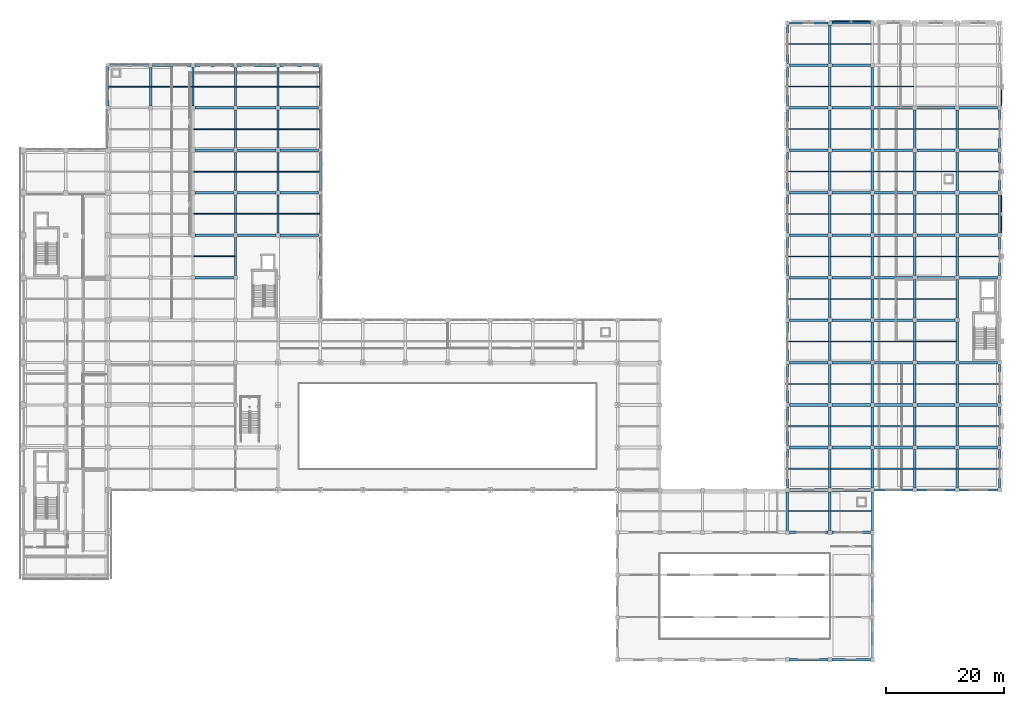
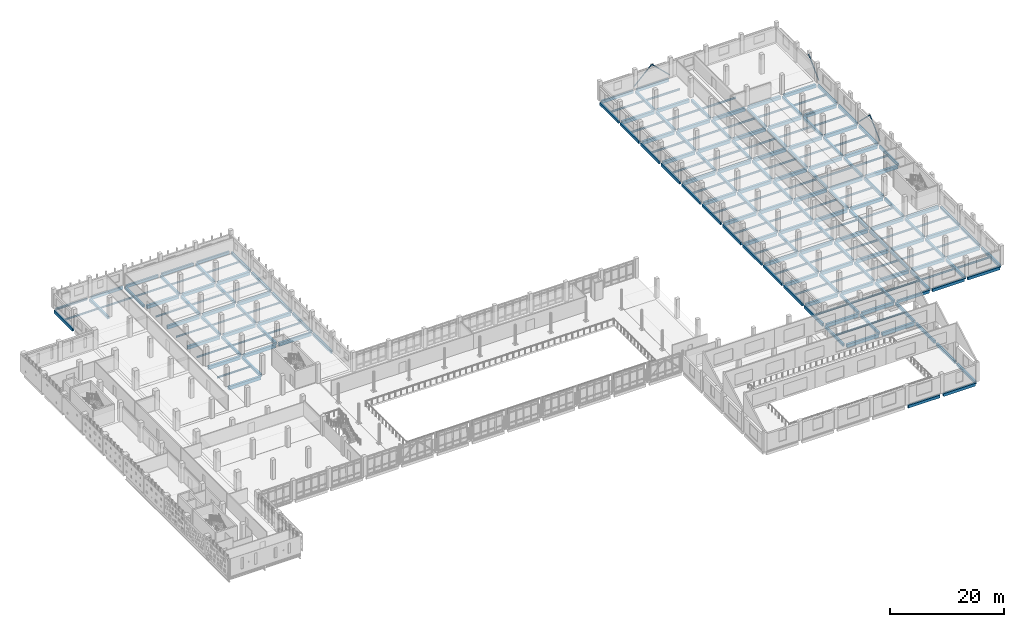
# One storey, part 25 of 62: 220 beams, 5 members.
"""IFC4 building model written with IfcOpenShell, lengths in metres."""

from ifc_helpers import new_model, si_unit, direction, frame, origin, origin_2d, place, context, subcontext, project, spatial, rectangle, hollow_circle, i_section, extrude, material, material_profile, profile_set, type_object, element, save


model = new_model("IFC4")

# Units and contexts
model_context = context("Model", 3, precision=1e-05, world=origin(), true_north=direction((0.0, 1.0)))
body_context = subcontext(model_context, "Body", "Model", "MODEL_VIEW")
ifc_project = project(units=[si_unit("LENGTHUNIT", "METRE"), si_unit("AREAUNIT", "SQUARE_METRE"), si_unit("VOLUMEUNIT", "CUBIC_METRE"), si_unit("PLANEANGLEUNIT", "RADIAN"), si_unit("MASSUNIT", "GRAM", prefix="KILO")], contexts=[model_context])

# Site, building, storey
site_placement = place(None, origin())
site = spatial("IfcSite", under=ifc_project, at=site_placement, CompositionType="ELEMENT")
building_placement = place(site_placement, origin())
building = spatial("IfcBuilding", under=site, at=building_placement, Name="Valkovuoma Quantum and Materials Research Institute", CompositionType="ELEMENT")
storey_placement = place(building_placement, frame((0.0, 0.0, 8.9599609375)))
storey = spatial("IfcBuildingStorey", under=building, at=storey_placement, Name="L02", CompositionType="ELEMENT", Elevation=8.9599609375)

# Beams
ifc_material_1 = material(Name="Steel S355J2", Category="steel")
ifc_material_profile_1 = material_profile(ifc_material_1, i_section(OverallWidth=0.300048828125, OverallDepth=0.389892578125, WebThickness=0.010986328125, FlangeThickness=0.01904296875, FilletRadius=0.027099609375, at=origin_2d()), Name="Steel S355J2")
ifc_profile_set_1 = profile_set([ifc_material_profile_1], Name="Steel S355J2")
beam_type_1 = type_object("IfcBeamType", Name="Beam-B-HEA400", PredefinedType="SPANDREL", material=ifc_profile_set_1)
beam_placement = place(storey_placement, frame((14.75, 108.0, -0.544921875), z_axis=(1.0, 0.0, 0.0), x_axis=(0.0, 1.0, 0.0)))
element("IfcBeam", 1, at=beam_placement, inside=storey, type_object=beam_type_1, Name="L02 beam X-1138", PredefinedType="SPANDREL", context=body_context, shape_type="SweptSolid", body=[
    extrude(i_section(OverallWidth=0.300048828125, OverallDepth=0.389892578125, WebThickness=0.010986328125, FlangeThickness=0.01904296875, FilletRadius=0.027099609375, at=origin_2d()), origin(), (0.0, 0.0, 1.0), 6.5),
])
ifc_material_2 = material(Name="Steel S355J2", Category="steel")
ifc_material_profile_2 = material_profile(ifc_material_2, i_section(OverallWidth=0.169921875, OverallDepth=0.360107421875, WebThickness=0.008056640625, FlangeThickness=0.0126953125, FilletRadius=0.01806640625, at=origin_2d()), Name="Steel S355J2")
ifc_profile_set_2 = profile_set([ifc_material_profile_2], Name="Steel S355J2")
beam_type_2 = type_object("IfcBeamType", Name="Beam-B-JST360", PredefinedType="JOIST", material=ifc_profile_set_2)
for number, where, z_axis, x_axis, name in (
    (2, (28.919921875, 75.60009765625, -0.530029296875), (1.0, 0.0, 0.0), (0.0, 1.0, 0.0), "L02 floor joist 1371"),
    (3, (28.919921875, 82.800048828125, -0.530029296875), (1.0, 0.0, 0.0), (0.0, 1.0, 0.0), "L02 floor joist 1379"),
    (4, (36.1201171875, 82.800048828125, -0.530029296875), (1.0, 0.0, 0.0), (0.0, 1.0, 0.0), "L02 floor joist 1380"),
    (5, (43.320068359375, 82.800048828125, -0.530029296875), (1.0, 0.0, 0.0), (0.0, 1.0, 0.0), "L02 floor joist 1381"),
    (6, (28.919921875, 90.0, -0.530029296875), (1.0, 0.0, 0.0), (0.0, 1.0, 0.0), "L02 floor joist 1391"),
    (7, (36.1201171875, 90.0, -0.530029296875), (1.0, 0.0, 0.0), (0.0, 1.0, 0.0), "L02 floor joist 1392"),
    (8, (43.320068359375, 90.0, -0.530029296875), (1.0, 0.0, 0.0), (0.0, 1.0, 0.0), "L02 floor joist 1393"),
    (9, (28.919921875, 97.199951171875, -0.530029296875), (1.0, 0.0, 0.0), (0.0, 1.0, 0.0), "L02 floor joist 1401"),
    (10, (36.1201171875, 97.199951171875, -0.530029296875), (1.0, 0.0, 0.0), (0.0, 1.0, 0.0), "L02 floor joist 1402"),
    (11, (43.320068359375, 97.199951171875, -0.530029296875), (1.0, 0.0, 0.0), (0.0, 1.0, 0.0), "L02 floor joist 1403"),
    (12, (14.52001953125, 104.39990234375, -0.530029296875), (1.0, 0.0, 0.0), (0.0, 1.0, 0.0), "L02 floor joist 1409"),
    (13, (21.719970703125, 104.39990234375, -0.530029296875), (1.0, 0.0, 0.0), (0.0, 1.0, 0.0), "L02 floor joist 1410"),
    (14, (28.919921875, 104.39990234375, -0.530029296875), (1.0, 0.0, 0.0), (0.0, 1.0, 0.0), "L02 floor joist 1411"),
    (15, (36.1201171875, 104.39990234375, -0.530029296875), (1.0, 0.0, 0.0), (0.0, 1.0, 0.0), "L02 floor joist 1412"),
    (16, (43.320068359375, 104.39990234375, -0.530029296875), (1.0, 0.0, 0.0), (0.0, 1.0, 0.0), "L02 floor joist 1413"),
):
    element("IfcBeam", number, at=place(storey_placement, frame(where, z_axis=z_axis, x_axis=x_axis)), inside=storey, type_object=beam_type_2, Name=name, PredefinedType="JOIST", context=body_context, shape_type="SweptSolid", body=[
        extrude(i_section(OverallWidth=0.169921875, OverallDepth=0.360107421875, WebThickness=0.008056640625, FlangeThickness=0.0126953125, FilletRadius=0.01806640625, at=origin_2d()), origin(), (0.0, 0.0, 1.0), 6.9599609375),
    ])
ifc_material_3 = material(Name="Steel S355J2", Category="steel")
ifc_material_profile_3 = material_profile(ifc_material_3, i_section(OverallWidth=0.179931640625, OverallDepth=0.39990234375, WebThickness=0.008544921875, FlangeThickness=0.013427734375, FilletRadius=0.02099609375, at=origin_2d()), Name="Steel S355J2")
ifc_profile_set_3 = profile_set([ifc_material_profile_3], Name="Steel S355J2")
beam_type_3 = type_object("IfcBeamType", Name="Beam-B-JST400", PredefinedType="JOIST", material=ifc_profile_set_3)
for number, where, z_axis, x_axis, name in (
    (17, (129.719970703125, 32.39990234375, -0.550048828125), (1.0, 0.0, 0.0), (0.0, 1.0, 0.0), "L02 floor joist 1306"),
    (18, (136.919921875, 32.39990234375, -0.550048828125), (1.0, 0.0, 0.0), (0.0, 1.0, 0.0), "L02 floor joist 1307"),
    (19, (129.719970703125, 39.60009765625, -0.550048828125), (1.0, 0.0, 0.0), (0.0, 1.0, 0.0), "L02 floor joist 1314"),
    (20, (136.919921875, 39.60009765625, -0.550048828125), (1.0, 0.0, 0.0), (0.0, 1.0, 0.0), "L02 floor joist 1315"),
    (21, (144.1201171875, 39.60009765625, -0.550048828125), (1.0, 0.0, 0.0), (0.0, 1.0, 0.0), "L02 floor joist 1316"),
    (22, (151.320068359375, 39.60009765625, -0.550048828125), (1.0, 0.0, 0.0), (0.0, 1.0, 0.0), "L02 floor joist 1317"),
    (23, (158.52001953125, 39.60009765625, -0.550048828125), (1.0, 0.0, 0.0), (0.0, 1.0, 0.0), "L02 floor joist 1318"),
    (24, (129.719970703125, 46.800048828125, -0.550048828125), (1.0, 0.0, 0.0), (0.0, 1.0, 0.0), "L02 floor joist 1325"),
    (25, (136.919921875, 46.800048828125, -0.550048828125), (1.0, 0.0, 0.0), (0.0, 1.0, 0.0), "L02 floor joist 1326"),
    (26, (144.1201171875, 46.800048828125, -0.550048828125), (1.0, 0.0, 0.0), (0.0, 1.0, 0.0), "L02 floor joist 1327"),
    (27, (151.320068359375, 46.800048828125, -0.550048828125), (1.0, 0.0, 0.0), (0.0, 1.0, 0.0), "L02 floor joist 1328"),
    (28, (158.52001953125, 46.800048828125, -0.550048828125), (1.0, 0.0, 0.0), (0.0, 1.0, 0.0), "L02 floor joist 1329"),
    (29, (129.719970703125, 54.0, -0.550048828125), (1.0, 0.0, 0.0), (0.0, 1.0, 0.0), "L02 floor joist 1336"),
    (30, (136.919921875, 54.0, -0.550048828125), (1.0, 0.0, 0.0), (0.0, 1.0, 0.0), "L02 floor joist 1337"),
    (31, (144.1201171875, 54.0, -0.550048828125), (1.0, 0.0, 0.0), (0.0, 1.0, 0.0), "L02 floor joist 1338"),
    (32, (151.320068359375, 54.0, -0.550048828125), (1.0, 0.0, 0.0), (0.0, 1.0, 0.0), "L02 floor joist 1339"),
    (33, (158.52001953125, 54.0, -0.550048828125), (1.0, 0.0, 0.0), (0.0, 1.0, 0.0), "L02 floor joist 1340"),
    (34, (129.719970703125, 61.199951171875, -0.550048828125), (1.0, 0.0, 0.0), (0.0, 1.0, 0.0), "L02 floor joist 1356"),
    (35, (136.919921875, 61.199951171875, -0.550048828125), (1.0, 0.0, 0.0), (0.0, 1.0, 0.0), "L02 floor joist 1357"),
    (36, (144.1201171875, 61.199951171875, -0.550048828125), (1.0, 0.0, 0.0), (0.0, 1.0, 0.0), "L02 floor joist 1358"),
    (37, (151.320068359375, 61.199951171875, -0.550048828125), (1.0, 0.0, 0.0), (0.0, 1.0, 0.0), "L02 floor joist 1359"),
    (38, (129.719970703125, 68.39990234375, -0.550048828125), (1.0, 0.0, 0.0), (0.0, 1.0, 0.0), "L02 floor joist 1365"),
    (39, (136.919921875, 68.39990234375, -0.550048828125), (1.0, 0.0, 0.0), (0.0, 1.0, 0.0), "L02 floor joist 1366"),
    (40, (144.1201171875, 68.39990234375, -0.550048828125), (1.0, 0.0, 0.0), (0.0, 1.0, 0.0), "L02 floor joist 1367"),
    (41, (151.320068359375, 68.39990234375, -0.550048828125), (1.0, 0.0, 0.0), (0.0, 1.0, 0.0), "L02 floor joist 1368"),
    (42, (129.719970703125, 75.60009765625, -0.550048828125), (1.0, 0.0, 0.0), (0.0, 1.0, 0.0), "L02 floor joist 1372"),
    (43, (136.919921875, 75.60009765625, -0.550048828125), (1.0, 0.0, 0.0), (0.0, 1.0, 0.0), "L02 floor joist 1373"),
    (44, (144.1201171875, 75.60009765625, -0.550048828125), (1.0, 0.0, 0.0), (0.0, 1.0, 0.0), "L02 floor joist 1374"),
    (45, (151.320068359375, 75.60009765625, -0.550048828125), (1.0, 0.0, 0.0), (0.0, 1.0, 0.0), "L02 floor joist 1375"),
    (46, (158.52001953125, 75.60009765625, -0.550048828125), (1.0, 0.0, 0.0), (0.0, 1.0, 0.0), "L02 floor joist 1376"),
    (47, (129.719970703125, 82.800048828125, -0.550048828125), (1.0, 0.0, 0.0), (0.0, 1.0, 0.0), "L02 floor joist 1382"),
    (48, (136.919921875, 82.800048828125, -0.550048828125), (1.0, 0.0, 0.0), (0.0, 1.0, 0.0), "L02 floor joist 1383"),
    (49, (144.1201171875, 82.800048828125, -0.550048828125), (1.0, 0.0, 0.0), (0.0, 1.0, 0.0), "L02 floor joist 1384"),
    (50, (151.320068359375, 82.800048828125, -0.550048828125), (1.0, 0.0, 0.0), (0.0, 1.0, 0.0), "L02 floor joist 1385"),
    (51, (158.52001953125, 82.800048828125, -0.550048828125), (1.0, 0.0, 0.0), (0.0, 1.0, 0.0), "L02 floor joist 1386"),
    (52, (129.719970703125, 90.0, -0.550048828125), (1.0, 0.0, 0.0), (0.0, 1.0, 0.0), "L02 floor joist 1394"),
    (53, (136.919921875, 90.0, -0.550048828125), (1.0, 0.0, 0.0), (0.0, 1.0, 0.0), "L02 floor joist 1395"),
    (54, (144.1201171875, 90.0, -0.550048828125), (1.0, 0.0, 0.0), (0.0, 1.0, 0.0), "L02 floor joist 1396"),
    (55, (151.320068359375, 90.0, -0.550048828125), (1.0, 0.0, 0.0), (0.0, 1.0, 0.0), "L02 floor joist 1397"),
    (56, (158.52001953125, 90.0, -0.550048828125), (1.0, 0.0, 0.0), (0.0, 1.0, 0.0), "L02 floor joist 1398"),
    (57, (129.719970703125, 97.199951171875, -0.550048828125), (1.0, 0.0, 0.0), (0.0, 1.0, 0.0), "L02 floor joist 1404"),
    (58, (136.919921875, 97.199951171875, -0.550048828125), (1.0, 0.0, 0.0), (0.0, 1.0, 0.0), "L02 floor joist 1405"),
    (59, (144.1201171875, 97.199951171875, -0.550048828125), (1.0, 0.0, 0.0), (0.0, 1.0, 0.0), "L02 floor joist 1406"),
    (60, (151.320068359375, 97.199951171875, -0.550048828125), (1.0, 0.0, 0.0), (0.0, 1.0, 0.0), "L02 floor joist 1407"),
    (61, (158.52001953125, 97.199951171875, -0.550048828125), (1.0, 0.0, 0.0), (0.0, 1.0, 0.0), "L02 floor joist 1408"),
    (62, (129.719970703125, 104.39990234375, -0.550048828125), (1.0, 0.0, 0.0), (0.0, 1.0, 0.0), "L02 floor joist 1414"),
    (63, (136.919921875, 104.39990234375, -0.550048828125), (1.0, 0.0, 0.0), (0.0, 1.0, 0.0), "L02 floor joist 1415"),
    (64, (144.1201171875, 104.39990234375, -0.550048828125), (1.0, 0.0, 0.0), (0.0, 1.0, 0.0), "L02 floor joist 1416"),
    (65, (129.719970703125, 111.60009765625, -0.550048828125), (1.0, 0.0, 0.0), (0.0, 1.0, 0.0), "L02 floor joist 1419"),
    (66, (136.919921875, 111.60009765625, -0.550048828125), (1.0, 0.0, 0.0), (0.0, 1.0, 0.0), "L02 floor joist 1420"),
):
    element("IfcBeam", number, at=place(storey_placement, frame(where, z_axis=z_axis, x_axis=x_axis)), inside=storey, type_object=beam_type_3, Name=name, PredefinedType="JOIST", context=body_context, shape_type="SweptSolid", body=[
        extrude(i_section(OverallWidth=0.179931640625, OverallDepth=0.39990234375, WebThickness=0.008544921875, FlangeThickness=0.013427734375, FilletRadius=0.02099609375, at=origin_2d()), origin(), (0.0, 0.0, 1.0), 6.9599609375),
    ])
ifc_material_4 = material(Name="Concrete C40/50", Category="concrete")
ifc_material_profile_4 = material_profile(ifc_material_4, rectangle(XDim=0.39990234375, YDim=0.550048828125, at=origin_2d()), Name="Concrete C40/50")
ifc_profile_set_4 = profile_set([ifc_material_profile_4], Name="Concrete C40/50")
beam_type_4 = type_object("IfcBeamType", Name="Beam-B-RC550", PredefinedType="BEAM", material=ifc_profile_set_4)
for number, where, z_axis, x_axis, name in (
    (67, (21.60009765625, 101.14990234375, -0.625), (0.0, 1.0, 0.0), (-1.0, 0.0, 0.0), "L02 beam Y-1177"),
    (68, (28.800048828125, 101.14990234375, -0.625), (0.0, 1.0, 0.0), (-1.0, 0.0, 0.0), "L02 beam Y-1187"),
    (69, (36.0, 72.35009765625, -0.625), (0.0, 1.0, 0.0), (-1.0, 0.0, 0.0), "L02 beam Y-1193"),
    (70, (36.0, 79.550048828125, -0.625), (0.0, 1.0, 0.0), (-1.0, 0.0, 0.0), "L02 beam Y-1194"),
    (71, (36.0, 86.75, -0.625), (0.0, 1.0, 0.0), (-1.0, 0.0, 0.0), "L02 beam Y-1195"),
    (72, (36.0, 93.949951171875, -0.625), (0.0, 1.0, 0.0), (-1.0, 0.0, 0.0), "L02 beam Y-1196"),
    (73, (36.0, 101.14990234375, -0.625), (0.0, 1.0, 0.0), (-1.0, 0.0, 0.0), "L02 beam Y-1197"),
    (74, (43.199951171875, 79.550048828125, -0.625), (0.0, 1.0, 0.0), (-1.0, 0.0, 0.0), "L02 beam Y-1200"),
    (75, (43.199951171875, 86.75, -0.625), (0.0, 1.0, 0.0), (-1.0, 0.0, 0.0), "L02 beam Y-1201"),
    (76, (43.199951171875, 93.949951171875, -0.625), (0.0, 1.0, 0.0), (-1.0, 0.0, 0.0), "L02 beam Y-1202"),
    (77, (43.199951171875, 101.14990234375, -0.625), (0.0, 1.0, 0.0), (-1.0, 0.0, 0.0), "L02 beam Y-1203"),
    (78, (129.60009765625, 29.14990234375, -0.625), (0.0, 1.0, 0.0), (-1.0, 0.0, 0.0), "L02 beam Y-1232"),
    (79, (136.800048828125, 29.14990234375, -0.625), (0.0, 1.0, 0.0), (-1.0, 0.0, 0.0), "L02 beam Y-1244"),
    (80, (136.800048828125, 36.35009765625, -0.625), (0.0, 1.0, 0.0), (-1.0, 0.0, 0.0), "L02 beam Y-1245"),
    (81, (136.800048828125, 43.550048828125, -0.625), (0.0, 1.0, 0.0), (-1.0, 0.0, 0.0), "L02 beam Y-1246"),
    (82, (136.800048828125, 50.75, -0.625), (0.0, 1.0, 0.0), (-1.0, 0.0, 0.0), "L02 beam Y-1247"),
    (83, (136.800048828125, 57.949951171875, -0.625), (0.0, 1.0, 0.0), (-1.0, 0.0, 0.0), "L02 beam Y-1248"),
    (84, (136.800048828125, 65.14990234375, -0.625), (0.0, 1.0, 0.0), (-1.0, 0.0, 0.0), "L02 beam Y-1249"),
    (85, (136.800048828125, 72.35009765625, -0.625), (0.0, 1.0, 0.0), (-1.0, 0.0, 0.0), "L02 beam Y-1250"),
    (86, (136.800048828125, 79.550048828125, -0.625), (0.0, 1.0, 0.0), (-1.0, 0.0, 0.0), "L02 beam Y-1251"),
    (87, (136.800048828125, 86.75, -0.625), (0.0, 1.0, 0.0), (-1.0, 0.0, 0.0), "L02 beam Y-1252"),
    (88, (136.800048828125, 93.949951171875, -0.625), (0.0, 1.0, 0.0), (-1.0, 0.0, 0.0), "L02 beam Y-1253"),
    (89, (136.800048828125, 101.14990234375, -0.625), (0.0, 1.0, 0.0), (-1.0, 0.0, 0.0), "L02 beam Y-1254"),
    (90, (136.800048828125, 108.35009765625, -0.625), (0.0, 1.0, 0.0), (-1.0, 0.0, 0.0), "L02 beam Y-1255"),
    (91, (144.0, 36.35009765625, -0.625), (0.0, 1.0, 0.0), (-1.0, 0.0, 0.0), "L02 beam Y-1260"),
    (92, (144.0, 43.550048828125, -0.625), (0.0, 1.0, 0.0), (-1.0, 0.0, 0.0), "L02 beam Y-1261"),
    (93, (144.0, 50.75, -0.625), (0.0, 1.0, 0.0), (-1.0, 0.0, 0.0), "L02 beam Y-1262"),
    (94, (144.0, 57.949951171875, -0.625), (0.0, 1.0, 0.0), (-1.0, 0.0, 0.0), "L02 beam Y-1263"),
    (95, (144.0, 65.14990234375, -0.625), (0.0, 1.0, 0.0), (-1.0, 0.0, 0.0), "L02 beam Y-1264"),
    (96, (144.0, 72.35009765625, -0.625), (0.0, 1.0, 0.0), (-1.0, 0.0, 0.0), "L02 beam Y-1265"),
    (97, (144.0, 79.550048828125, -0.625), (0.0, 1.0, 0.0), (-1.0, 0.0, 0.0), "L02 beam Y-1266"),
    (98, (144.0, 86.75, -0.625), (0.0, 1.0, 0.0), (-1.0, 0.0, 0.0), "L02 beam Y-1267"),
    (99, (144.0, 93.949951171875, -0.625), (0.0, 1.0, 0.0), (-1.0, 0.0, 0.0), "L02 beam Y-1268"),
    (100, (144.0, 101.14990234375, -0.625), (0.0, 1.0, 0.0), (-1.0, 0.0, 0.0), "L02 beam Y-1269"),
    (101, (151.199951171875, 36.35009765625, -0.625), (0.0, 1.0, 0.0), (-1.0, 0.0, 0.0), "L02 beam Y-1271"),
    (102, (151.199951171875, 43.550048828125, -0.625), (0.0, 1.0, 0.0), (-1.0, 0.0, 0.0), "L02 beam Y-1272"),
    (103, (151.199951171875, 50.75, -0.625), (0.0, 1.0, 0.0), (-1.0, 0.0, 0.0), "L02 beam Y-1273"),
    (104, (151.199951171875, 57.949951171875, -0.625), (0.0, 1.0, 0.0), (-1.0, 0.0, 0.0), "L02 beam Y-1274"),
    (105, (151.199951171875, 65.14990234375, -0.625), (0.0, 1.0, 0.0), (-1.0, 0.0, 0.0), "L02 beam Y-1275"),
    (106, (151.199951171875, 72.35009765625, -0.625), (0.0, 1.0, 0.0), (-1.0, 0.0, 0.0), "L02 beam Y-1276"),
    (107, (151.199951171875, 79.550048828125, -0.625), (0.0, 1.0, 0.0), (-1.0, 0.0, 0.0), "L02 beam Y-1277"),
    (108, (151.199951171875, 86.75, -0.625), (0.0, 1.0, 0.0), (-1.0, 0.0, 0.0), "L02 beam Y-1278"),
    (109, (151.199951171875, 93.949951171875, -0.625), (0.0, 1.0, 0.0), (-1.0, 0.0, 0.0), "L02 beam Y-1279"),
    (110, (158.39990234375, 36.35009765625, -0.625), (0.0, 1.0, 0.0), (-1.0, 0.0, 0.0), "L02 beam Y-1282"),
    (111, (158.39990234375, 43.550048828125, -0.625), (0.0, 1.0, 0.0), (-1.0, 0.0, 0.0), "L02 beam Y-1283"),
    (112, (158.39990234375, 50.75, -0.625), (0.0, 1.0, 0.0), (-1.0, 0.0, 0.0), "L02 beam Y-1284"),
    (113, (158.39990234375, 57.949951171875, -0.625), (0.0, 1.0, 0.0), (-1.0, 0.0, 0.0), "L02 beam Y-1285"),
    (114, (158.39990234375, 65.14990234375, -0.625), (0.0, 1.0, 0.0), (-1.0, 0.0, 0.0), "L02 beam Y-1286"),
    (115, (158.39990234375, 72.35009765625, -0.625), (0.0, 1.0, 0.0), (-1.0, 0.0, 0.0), "L02 beam Y-1287"),
    (116, (158.39990234375, 79.550048828125, -0.625), (0.0, 1.0, 0.0), (-1.0, 0.0, 0.0), "L02 beam Y-1288"),
    (117, (158.39990234375, 86.75, -0.625), (0.0, 1.0, 0.0), (-1.0, 0.0, 0.0), "L02 beam Y-1289"),
    (118, (158.39990234375, 93.949951171875, -0.625), (0.0, 1.0, 0.0), (-1.0, 0.0, 0.0), "L02 beam Y-1290"),
):
    element("IfcBeam", number, at=place(storey_placement, frame(where, z_axis=z_axis, x_axis=x_axis)), inside=storey, type_object=beam_type_4, Name=name, PredefinedType="BEAM", context=body_context, shape_type="SweptSolid", body=[
        extrude(rectangle(XDim=0.39990234375, YDim=0.550048828125, at=origin_2d()), origin(), (0.0, 0.0, 1.0), 6.5),
    ])
ifc_material_5 = material(Name="Concrete C40/50", Category="concrete")
ifc_material_profile_5 = material_profile(ifc_material_5, rectangle(XDim=0.449951171875, YDim=0.699951171875, at=origin_2d()), Name="Concrete C40/50")
ifc_profile_set_5 = profile_set([ifc_material_profile_5], Name="Concrete C40/50")
beam_type_5 = type_object("IfcBeamType", Name="Beam-B-RC700", PredefinedType="BEAM", material=ifc_profile_set_5)
for number, where, z_axis, x_axis, name in (
    (119, (129.949951171875, 28.800048828125, -0.699951171875), (1.0, 0.0, 0.0), (0.0, 1.0, 0.0), "L02 beam X-0999"),
    (120, (137.14990234375, 28.800048828125, -0.699951171875), (1.0, 0.0, 0.0), (0.0, 1.0, 0.0), "L02 beam X-1000"),
    (121, (129.949951171875, 36.0, -0.699951171875), (1.0, 0.0, 0.0), (0.0, 1.0, 0.0), "L02 beam X-1017"),
    (122, (137.14990234375, 36.0, -0.699951171875), (1.0, 0.0, 0.0), (0.0, 1.0, 0.0), "L02 beam X-1018"),
    (123, (129.949951171875, 43.199951171875, -0.699951171875), (1.0, 0.0, 0.0), (0.0, 1.0, 0.0), "L02 beam X-1029"),
    (124, (137.14990234375, 43.199951171875, -0.699951171875), (1.0, 0.0, 0.0), (0.0, 1.0, 0.0), "L02 beam X-1030"),
    (125, (144.35009765625, 43.199951171875, -0.699951171875), (1.0, 0.0, 0.0), (0.0, 1.0, 0.0), "L02 beam X-1031"),
    (126, (151.550048828125, 43.199951171875, -0.699951171875), (1.0, 0.0, 0.0), (0.0, 1.0, 0.0), "L02 beam X-1032"),
    (127, (158.75, 43.199951171875, -0.699951171875), (1.0, 0.0, 0.0), (0.0, 1.0, 0.0), "L02 beam X-1033"),
    (128, (129.949951171875, 50.39990234375, -0.699951171875), (1.0, 0.0, 0.0), (0.0, 1.0, 0.0), "L02 beam X-1040"),
    (129, (137.14990234375, 50.39990234375, -0.699951171875), (1.0, 0.0, 0.0), (0.0, 1.0, 0.0), "L02 beam X-1041"),
    (130, (144.35009765625, 50.39990234375, -0.699951171875), (1.0, 0.0, 0.0), (0.0, 1.0, 0.0), "L02 beam X-1042"),
    (131, (151.550048828125, 50.39990234375, -0.699951171875), (1.0, 0.0, 0.0), (0.0, 1.0, 0.0), "L02 beam X-1043"),
    (132, (158.75, 50.39990234375, -0.699951171875), (1.0, 0.0, 0.0), (0.0, 1.0, 0.0), "L02 beam X-1044"),
    (133, (129.949951171875, 57.60009765625, -0.699951171875), (1.0, 0.0, 0.0), (0.0, 1.0, 0.0), "L02 beam X-1060"),
    (134, (137.14990234375, 57.60009765625, -0.699951171875), (1.0, 0.0, 0.0), (0.0, 1.0, 0.0), "L02 beam X-1061"),
    (135, (144.35009765625, 57.60009765625, -0.699951171875), (1.0, 0.0, 0.0), (0.0, 1.0, 0.0), "L02 beam X-1062"),
    (136, (151.550048828125, 57.60009765625, -0.699951171875), (1.0, 0.0, 0.0), (0.0, 1.0, 0.0), "L02 beam X-1063"),
    (137, (158.75, 57.60009765625, -0.699951171875), (1.0, 0.0, 0.0), (0.0, 1.0, 0.0), "L02 beam X-1064"),
    (138, (129.949951171875, 64.800048828125, -0.699951171875), (1.0, 0.0, 0.0), (0.0, 1.0, 0.0), "L02 beam X-1080"),
    (139, (137.14990234375, 64.800048828125, -0.699951171875), (1.0, 0.0, 0.0), (0.0, 1.0, 0.0), "L02 beam X-1081"),
    (140, (144.35009765625, 64.800048828125, -0.699951171875), (1.0, 0.0, 0.0), (0.0, 1.0, 0.0), "L02 beam X-1082"),
    (141, (151.550048828125, 64.800048828125, -0.699951171875), (1.0, 0.0, 0.0), (0.0, 1.0, 0.0), "L02 beam X-1083"),
    (142, (29.14990234375, 72.0, -0.699951171875), (1.0, 0.0, 0.0), (0.0, 1.0, 0.0), "L02 beam X-1088"),
    (143, (129.949951171875, 72.0, -0.699951171875), (1.0, 0.0, 0.0), (0.0, 1.0, 0.0), "L02 beam X-1089"),
    (144, (137.14990234375, 72.0, -0.699951171875), (1.0, 0.0, 0.0), (0.0, 1.0, 0.0), "L02 beam X-1090"),
    (145, (144.35009765625, 72.0, -0.699951171875), (1.0, 0.0, 0.0), (0.0, 1.0, 0.0), "L02 beam X-1091"),
    (146, (151.550048828125, 72.0, -0.699951171875), (1.0, 0.0, 0.0), (0.0, 1.0, 0.0), "L02 beam X-1092"),
    (147, (158.75, 72.0, -0.699951171875), (1.0, 0.0, 0.0), (0.0, 1.0, 0.0), "L02 beam X-1093"),
    (148, (29.14990234375, 79.199951171875, -0.699951171875), (1.0, 0.0, 0.0), (0.0, 1.0, 0.0), "L02 beam X-1096"),
    (149, (36.35009765625, 79.199951171875, -0.699951171875), (1.0, 0.0, 0.0), (0.0, 1.0, 0.0), "L02 beam X-1097"),
    (150, (43.550048828125, 79.199951171875, -0.699951171875), (1.0, 0.0, 0.0), (0.0, 1.0, 0.0), "L02 beam X-1098"),
    (151, (129.949951171875, 79.199951171875, -0.699951171875), (1.0, 0.0, 0.0), (0.0, 1.0, 0.0), "L02 beam X-1099"),
    (152, (137.14990234375, 79.199951171875, -0.699951171875), (1.0, 0.0, 0.0), (0.0, 1.0, 0.0), "L02 beam X-1100"),
    (153, (144.35009765625, 79.199951171875, -0.699951171875), (1.0, 0.0, 0.0), (0.0, 1.0, 0.0), "L02 beam X-1101"),
    (154, (151.550048828125, 79.199951171875, -0.699951171875), (1.0, 0.0, 0.0), (0.0, 1.0, 0.0), "L02 beam X-1102"),
    (155, (158.75, 79.199951171875, -0.699951171875), (1.0, 0.0, 0.0), (0.0, 1.0, 0.0), "L02 beam X-1103"),
    (156, (29.14990234375, 86.39990234375, -0.699951171875), (1.0, 0.0, 0.0), (0.0, 1.0, 0.0), "L02 beam X-1108"),
    (157, (36.35009765625, 86.39990234375, -0.699951171875), (1.0, 0.0, 0.0), (0.0, 1.0, 0.0), "L02 beam X-1109"),
    (158, (43.550048828125, 86.39990234375, -0.699951171875), (1.0, 0.0, 0.0), (0.0, 1.0, 0.0), "L02 beam X-1110"),
    (159, (129.949951171875, 86.39990234375, -0.699951171875), (1.0, 0.0, 0.0), (0.0, 1.0, 0.0), "L02 beam X-1111"),
    (160, (137.14990234375, 86.39990234375, -0.699951171875), (1.0, 0.0, 0.0), (0.0, 1.0, 0.0), "L02 beam X-1112"),
    (161, (144.35009765625, 86.39990234375, -0.699951171875), (1.0, 0.0, 0.0), (0.0, 1.0, 0.0), "L02 beam X-1113"),
    (162, (151.550048828125, 86.39990234375, -0.699951171875), (1.0, 0.0, 0.0), (0.0, 1.0, 0.0), "L02 beam X-1114"),
    (163, (158.75, 86.39990234375, -0.699951171875), (1.0, 0.0, 0.0), (0.0, 1.0, 0.0), "L02 beam X-1115"),
    (164, (29.14990234375, 93.60009765625, -0.699951171875), (1.0, 0.0, 0.0), (0.0, 1.0, 0.0), "L02 beam X-1120"),
    (165, (36.35009765625, 93.60009765625, -0.699951171875), (1.0, 0.0, 0.0), (0.0, 1.0, 0.0), "L02 beam X-1121"),
    (166, (43.550048828125, 93.60009765625, -0.699951171875), (1.0, 0.0, 0.0), (0.0, 1.0, 0.0), "L02 beam X-1122"),
    (167, (129.949951171875, 93.60009765625, -0.699951171875), (1.0, 0.0, 0.0), (0.0, 1.0, 0.0), "L02 beam X-1123"),
    (168, (137.14990234375, 93.60009765625, -0.699951171875), (1.0, 0.0, 0.0), (0.0, 1.0, 0.0), "L02 beam X-1124"),
    (169, (144.35009765625, 93.60009765625, -0.699951171875), (1.0, 0.0, 0.0), (0.0, 1.0, 0.0), "L02 beam X-1125"),
    (170, (151.550048828125, 93.60009765625, -0.699951171875), (1.0, 0.0, 0.0), (0.0, 1.0, 0.0), "L02 beam X-1126"),
    (171, (158.75, 93.60009765625, -0.699951171875), (1.0, 0.0, 0.0), (0.0, 1.0, 0.0), "L02 beam X-1127"),
    (172, (29.14990234375, 100.800048828125, -0.699951171875), (1.0, 0.0, 0.0), (0.0, 1.0, 0.0), "L02 beam X-1130"),
    (173, (36.35009765625, 100.800048828125, -0.699951171875), (1.0, 0.0, 0.0), (0.0, 1.0, 0.0), "L02 beam X-1131"),
    (174, (43.550048828125, 100.800048828125, -0.699951171875), (1.0, 0.0, 0.0), (0.0, 1.0, 0.0), "L02 beam X-1132"),
    (175, (129.949951171875, 100.800048828125, -0.699951171875), (1.0, 0.0, 0.0), (0.0, 1.0, 0.0), "L02 beam X-1133"),
    (176, (137.14990234375, 100.800048828125, -0.699951171875), (1.0, 0.0, 0.0), (0.0, 1.0, 0.0), "L02 beam X-1134"),
    (177, (144.35009765625, 100.800048828125, -0.699951171875), (1.0, 0.0, 0.0), (0.0, 1.0, 0.0), "L02 beam X-1135"),
    (178, (151.550048828125, 100.800048828125, -0.699951171875), (1.0, 0.0, 0.0), (0.0, 1.0, 0.0), "L02 beam X-1136"),
    (179, (158.75, 100.800048828125, -0.699951171875), (1.0, 0.0, 0.0), (0.0, 1.0, 0.0), "L02 beam X-1137"),
    (180, (129.949951171875, 108.0, -0.699951171875), (1.0, 0.0, 0.0), (0.0, 1.0, 0.0), "L02 beam X-1143"),
    (181, (137.14990234375, 108.0, -0.699951171875), (1.0, 0.0, 0.0), (0.0, 1.0, 0.0), "L02 beam X-1144"),
):
    element("IfcBeam", number, at=place(storey_placement, frame(where, z_axis=z_axis, x_axis=x_axis)), inside=storey, type_object=beam_type_5, Name=name, PredefinedType="BEAM", context=body_context, shape_type="SweptSolid", body=[
        extrude(rectangle(XDim=0.449951171875, YDim=0.699951171875, at=origin_2d()), origin(), (0.0, 0.0, 1.0), 6.5),
    ])
ifc_material_6 = material(Name="Concrete C40/50", Category="concrete")
ifc_material_profile_6 = material_profile(ifc_material_6, rectangle(XDim=0.35009765625, YDim=0.60009765625, at=origin_2d()), Name="Concrete C40/50")
ifc_profile_set_6 = profile_set([ifc_material_profile_6], Name="Concrete C40/50")
beam_type_6 = type_object("IfcBeamType", Name="Beam-B-SPN600", PredefinedType="SPANDREL", material=ifc_profile_set_6)
for number, where, z_axis, x_axis, name in (
    (182, (129.949951171875, 7.199951171875, -0.64990234375), (1.0, 0.0, 0.0), (0.0, 1.0, 0.0), "L02 beam X-0991"),
    (183, (137.14990234375, 7.199951171875, -0.64990234375), (1.0, 0.0, 0.0), (0.0, 1.0, 0.0), "L02 beam X-0992"),
    (184, (144.35009765625, 36.0, -0.64990234375), (1.0, 0.0, 0.0), (0.0, 1.0, 0.0), "L02 beam X-1019"),
    (185, (151.550048828125, 36.0, -0.64990234375), (1.0, 0.0, 0.0), (0.0, 1.0, 0.0), "L02 beam X-1020"),
    (186, (158.75, 36.0, -0.64990234375), (1.0, 0.0, 0.0), (0.0, 1.0, 0.0), "L02 beam X-1021"),
    (187, (21.949951171875, 108.0, -0.64990234375), (1.0, 0.0, 0.0), (0.0, 1.0, 0.0), "L02 beam X-1139"),
    (188, (29.14990234375, 108.0, -0.64990234375), (1.0, 0.0, 0.0), (0.0, 1.0, 0.0), "L02 beam X-1140"),
    (189, (36.35009765625, 108.0, -0.64990234375), (1.0, 0.0, 0.0), (0.0, 1.0, 0.0), "L02 beam X-1141"),
    (190, (43.550048828125, 108.0, -0.64990234375), (1.0, 0.0, 0.0), (0.0, 1.0, 0.0), "L02 beam X-1142"),
    (191, (129.949951171875, 115.199951171875, -0.64990234375), (1.0, 0.0, 0.0), (0.0, 1.0, 0.0), "L02 beam X-1148"),
    (192, (137.14990234375, 115.199951171875, -0.64990234375), (1.0, 0.0, 0.0), (0.0, 1.0, 0.0), "L02 beam X-1149"),
    (193, (14.39990234375, 101.14990234375, -0.64990234375), (0.0, 1.0, 0.0), (-1.0, 0.0, 0.0), "L02 beam Y-1167"),
    (194, (50.39990234375, 72.35009765625, -0.64990234375), (0.0, 1.0, 0.0), (-1.0, 0.0, 0.0), "L02 beam Y-1206"),
    (195, (50.39990234375, 79.550048828125, -0.64990234375), (0.0, 1.0, 0.0), (-1.0, 0.0, 0.0), "L02 beam Y-1207"),
    (196, (50.39990234375, 86.75, -0.64990234375), (0.0, 1.0, 0.0), (-1.0, 0.0, 0.0), "L02 beam Y-1208"),
    (197, (50.39990234375, 93.949951171875, -0.64990234375), (0.0, 1.0, 0.0), (-1.0, 0.0, 0.0), "L02 beam Y-1209"),
    (198, (50.39990234375, 101.14990234375, -0.64990234375), (0.0, 1.0, 0.0), (-1.0, 0.0, 0.0), "L02 beam Y-1210"),
    (199, (129.60009765625, 36.35009765625, -0.64990234375), (0.0, 1.0, 0.0), (-1.0, 0.0, 0.0), "L02 beam Y-1233"),
    (200, (129.60009765625, 43.550048828125, -0.64990234375), (0.0, 1.0, 0.0), (-1.0, 0.0, 0.0), "L02 beam Y-1234"),
    (201, (129.60009765625, 50.75, -0.64990234375), (0.0, 1.0, 0.0), (-1.0, 0.0, 0.0), "L02 beam Y-1235"),
    (202, (129.60009765625, 57.949951171875, -0.64990234375), (0.0, 1.0, 0.0), (-1.0, 0.0, 0.0), "L02 beam Y-1236"),
    (203, (129.60009765625, 65.14990234375, -0.64990234375), (0.0, 1.0, 0.0), (-1.0, 0.0, 0.0), "L02 beam Y-1237"),
    (204, (129.60009765625, 72.35009765625, -0.64990234375), (0.0, 1.0, 0.0), (-1.0, 0.0, 0.0), "L02 beam Y-1238"),
    (205, (129.60009765625, 79.550048828125, -0.64990234375), (0.0, 1.0, 0.0), (-1.0, 0.0, 0.0), "L02 beam Y-1239"),
    (206, (129.60009765625, 86.75, -0.64990234375), (0.0, 1.0, 0.0), (-1.0, 0.0, 0.0), "L02 beam Y-1240"),
    (207, (129.60009765625, 93.949951171875, -0.64990234375), (0.0, 1.0, 0.0), (-1.0, 0.0, 0.0), "L02 beam Y-1241"),
    (208, (129.60009765625, 101.14990234375, -0.64990234375), (0.0, 1.0, 0.0), (-1.0, 0.0, 0.0), "L02 beam Y-1242"),
    (209, (129.60009765625, 108.35009765625, -0.64990234375), (0.0, 1.0, 0.0), (-1.0, 0.0, 0.0), "L02 beam Y-1243"),
    (210, (144.0, 7.550048828125, -0.64990234375), (0.0, 1.0, 0.0), (-1.0, 0.0, 0.0), "L02 beam Y-1256"),
    (211, (144.0, 14.75, -0.64990234375), (0.0, 1.0, 0.0), (-1.0, 0.0, 0.0), "L02 beam Y-1257"),
    (212, (144.0, 21.949951171875, -0.64990234375), (0.0, 1.0, 0.0), (-1.0, 0.0, 0.0), "L02 beam Y-1258"),
    (213, (144.0, 29.14990234375, -0.64990234375), (0.0, 1.0, 0.0), (-1.0, 0.0, 0.0), "L02 beam Y-1259"),
    (214, (165.60009765625, 36.35009765625, -0.64990234375), (0.0, 1.0, 0.0), (-1.0, 0.0, 0.0), "L02 beam Y-1293"),
    (215, (165.60009765625, 43.550048828125, -0.64990234375), (0.0, 1.0, 0.0), (-1.0, 0.0, 0.0), "L02 beam Y-1294"),
    (216, (165.60009765625, 50.75, -0.64990234375), (0.0, 1.0, 0.0), (-1.0, 0.0, 0.0), "L02 beam Y-1295"),
    (217, (165.60009765625, 72.35009765625, -0.64990234375), (0.0, 1.0, 0.0), (-1.0, 0.0, 0.0), "L02 beam Y-1296"),
    (218, (165.60009765625, 79.550048828125, -0.64990234375), (0.0, 1.0, 0.0), (-1.0, 0.0, 0.0), "L02 beam Y-1297"),
    (219, (165.60009765625, 86.75, -0.64990234375), (0.0, 1.0, 0.0), (-1.0, 0.0, 0.0), "L02 beam Y-1298"),
    (220, (165.60009765625, 93.949951171875, -0.64990234375), (0.0, 1.0, 0.0), (-1.0, 0.0, 0.0), "L02 beam Y-1299"),
):
    element("IfcBeam", number, at=place(storey_placement, frame(where, z_axis=z_axis, x_axis=x_axis)), inside=storey, type_object=beam_type_6, Name=name, PredefinedType="SPANDREL", context=body_context, shape_type="SweptSolid", body=[
        extrude(rectangle(XDim=0.35009765625, YDim=0.60009765625, at=origin_2d()), origin(), (0.0, 0.0, 1.0), 6.5),
    ])

# Members
ifc_material_7 = material(Name="Steel S355J2H", Category="steel")
ifc_material_profile_7 = material_profile(ifc_material_7, hollow_circle(Radius=0.109619140625, WallThickness=0.010009765625, at=origin_2d()), Name="Steel S355J2H")
ifc_profile_set_7 = profile_set([ifc_material_profile_7], Name="Steel S355J2H")
member_type = type_object("IfcMemberType", Name="Mem-M-BRC219", PredefinedType="BRACE", material=ifc_profile_set_7)
member_1_placement = place(storey_placement, frame((165.89990234375, 79.199951171875, 0.10009765625), z_axis=(0.0, 0.716008634166, 0.698091423668), x_axis=(-1.0, 0.0, 0.0)))
element("IfcMember", 221, at=member_1_placement, inside=storey, type_object=member_type, Name="L02 chevron wind brace 10A", PredefinedType="BRACE", context=body_context, shape_type="SweptSolid", body=[
    extrude(hollow_circle(Radius=0.109619140625, WallThickness=0.010009765625, at=origin_2d()), origin(), (0.0, 0.0, 1.0), 5.028076171875),
])
for number, where, z_axis, x_axis, name in (
    (222, (165.89990234375, 86.39990234375, 0.10009765625), (0.0, -0.715984969996, 0.69811569438), (1.0, 0.0, 0.0), "L02 chevron wind brace 10B"),
    (223, (165.89990234375, 100.800048828125, 0.10009765625), (0.0, 0.715984969996, 0.69811569438), (-1.0, 0.0, 0.0), "L02 chevron wind brace 16A"),
    (224, (136.800048828125, 115.5, 0.10009765625), (0.715984969996, 0.0, 0.69811569438), (0.0, 1.0, 0.0), "L02 chevron wind brace 22A"),
):
    element("IfcMember", number, at=place(storey_placement, frame(where, z_axis=z_axis, x_axis=x_axis)), inside=storey, type_object=member_type, Name=name, PredefinedType="BRACE", context=body_context, shape_type="SweptSolid", body=[
        extrude(hollow_circle(Radius=0.109619140625, WallThickness=0.010009765625, at=origin_2d()), origin(), (0.0, 0.0, 1.0), 5.02783203125),
    ])
member_2_placement = place(storey_placement, frame((144.0, 115.5, 0.10009765625), z_axis=(-0.716008634166, 0.0, 0.698091423668), x_axis=(0.0, -1.0, 0.0)))
element("IfcMember", 225, at=member_2_placement, inside=storey, type_object=member_type, Name="L02 chevron wind brace 22B", PredefinedType="BRACE", context=body_context, shape_type="SweptSolid", body=[
    extrude(hollow_circle(Radius=0.109619140625, WallThickness=0.010009765625, at=origin_2d()), origin(), (0.0, 0.0, 1.0), 5.028076171875),
])

save(model, "model.ifc")
